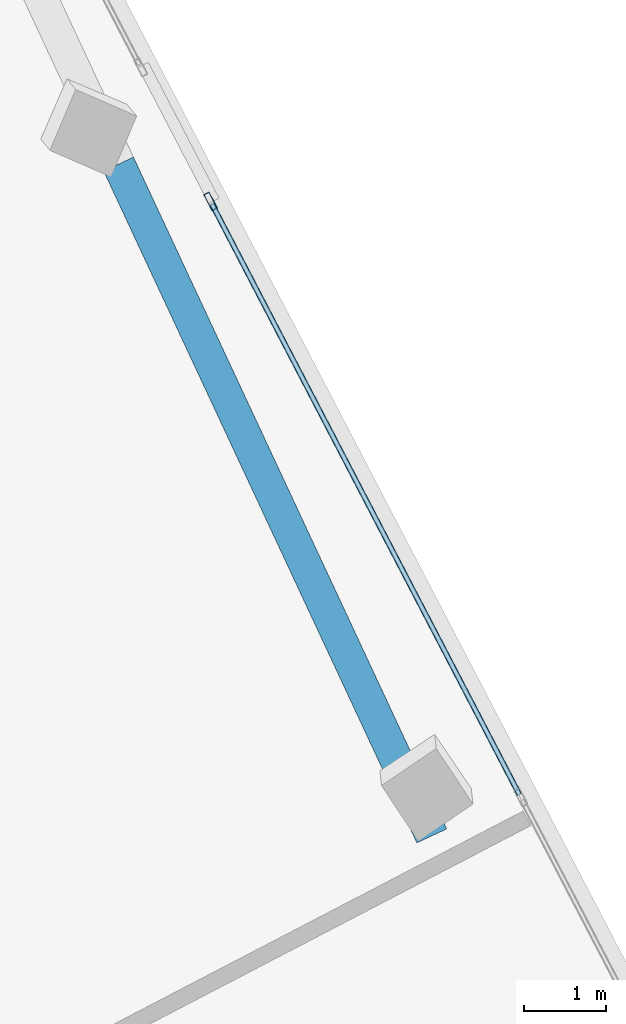
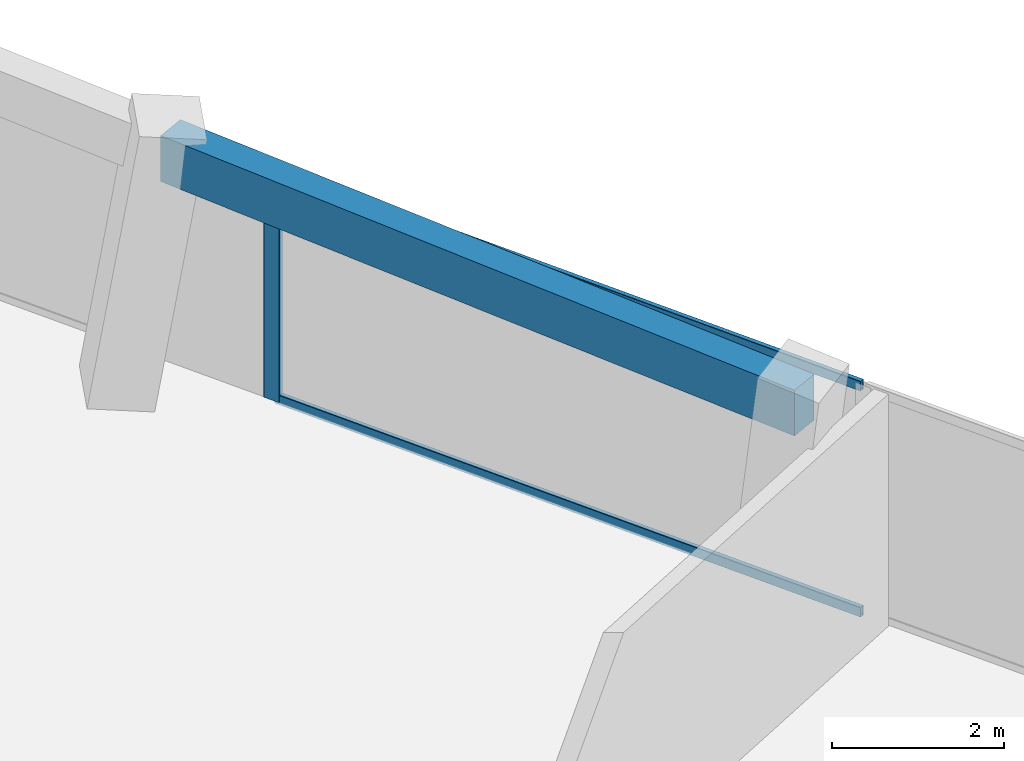
# One storey, part 7 of 16: 3 members, 1 beam, 1 element without a shape of its own.
"""IFC4 building model written with IfcOpenShell, lengths in metres."""

import ifcopenshell
import ifcopenshell.guid

model = None  # the IFC model being written
_history = None  # IfcOwnerHistory: only IFC2X3 demands one
_inside = {}  # id of a spatial element -> (the spatial element, [elements in it])
_under = {}  # id of a project, library or spatial element -> (it, [spatial elements below it])
_declared = {}  # id of a project -> (the project, [libraries it declares])
_typed = {}  # id of a type object -> (the type object, [elements of that type])
_made_of = {}  # id of a material, layer set ... -> (it, [elements and type objects made of it])


def new_model(schema):
    """Start an empty IFC model of exactly this schema.

    Asked for "IFC4X3", IfcOpenShell would pick the latest addendum, in which some entities
    have other attributes; the version numbers below select the first issue.
    IFC2X3 requires an IfcOwnerHistory on every rooted entity: one is made here for all.
    """
    global model, _history
    if schema == "IFC4X3":
        model = ifcopenshell.file(schema_version=(4, 3, 0, 0))
    else:
        model = ifcopenshell.file(schema=schema)
    _inside.clear()
    _under.clear()
    _declared.clear()
    _typed.clear()
    _made_of.clear()
    _history = None
    if model.schema == "IFC2X3":
        org = make("IfcOrganization", Name="unknown")
        user = make(
            "IfcPersonAndOrganization",
            ThePerson=make("IfcPerson", FamilyName="unknown"),
            TheOrganization=org,
        )
        app = make(
            "IfcApplication",
            ApplicationDeveloper=org,
            Version="unknown",
            ApplicationFullName="unknown",
            ApplicationIdentifier="unknown",
        )
        _history = make(
            "IfcOwnerHistory",
            OwningUser=user,
            OwningApplication=app,
            ChangeAction="ADDED",
            CreationDate=0,
        )
    return model


def make(cls, **values):
    """One entity of the class cls with the attributes given. An attribute that is None is left unset."""
    return model.create_entity(
        cls, **{name: value for name, value in values.items() if value is not None}
    )


def rooted(cls, **values):
    """An entity with a GlobalId (a new one), such as an element, a storey or a relation."""
    return make(cls, GlobalId=ifcopenshell.guid.new(), OwnerHistory=_history, **values)


def si_unit(unit_type, name, prefix=None):
    """IfcSIUnit, for example si_unit("LENGTHUNIT", "METRE", prefix="MILLI")."""
    return make("IfcSIUnit", UnitType=unit_type, Prefix=prefix, Name=name)


def assignment(units):
    """IfcUnitAssignment: the units of a project."""
    return None if units is None else make("IfcUnitAssignment", Units=units)


def point(xyz):
    """IfcCartesianPoint."""
    return None if xyz is None else make("IfcCartesianPoint", Coordinates=xyz)


def direction(xyz):
    """IfcDirection."""
    return None if xyz is None else make("IfcDirection", DirectionRatios=xyz)


def frame(location, z_axis=None, x_axis=None):
    """IfcAxis2Placement3D, a coordinate frame: its origin and axes. An axis left out is left unset."""
    return make(
        "IfcAxis2Placement3D",
        Location=point(location),
        Axis=direction(z_axis),
        RefDirection=direction(x_axis),
    )


def frame_2d(location, x_axis=None):
    """IfcAxis2Placement2D, a coordinate frame in the plane: its origin and x axis."""
    return make(
        "IfcAxis2Placement2D", Location=point(location), RefDirection=direction(x_axis)
    )


def origin():
    """The frame at (0, 0, 0) with its axes left unset."""
    return frame((0.0, 0.0, 0.0))


def origin_2d():
    """The frame at (0, 0) in the plane with its x axis left unset."""
    return frame_2d((0.0, 0.0))


def place(relative_to, where):
    """IfcLocalPlacement: puts the frame where relative to a parent placement (None: the world)."""
    return make(
        "IfcLocalPlacement", PlacementRelTo=relative_to, RelativePlacement=where
    )


def context(
    kind, dimensions, precision=None, world=None, true_north=None, identifier=None
):
    """IfcGeometricRepresentationContext, for example the 3D "Model" context."""
    return make(
        "IfcGeometricRepresentationContext",
        ContextIdentifier=identifier,
        ContextType=kind,
        CoordinateSpaceDimension=dimensions,
        Precision=precision,
        WorldCoordinateSystem=world,
        TrueNorth=true_north,
    )


def subcontext(parent, identifier, kind, view, scale=None):
    """IfcGeometricRepresentationSubContext, for example "Body" below "Model"."""
    return make(
        "IfcGeometricRepresentationSubContext",
        ContextIdentifier=identifier,
        ContextType=kind,
        ParentContext=parent,
        TargetScale=scale,
        TargetView=view,
    )


def project(units=None, contexts=None):
    """IfcProject with its units and contexts."""
    return rooted(
        "IfcProject",
        Name="project",
        RepresentationContexts=contexts,
        UnitsInContext=assignment(units),
    )


def spatial(cls, under=None, at=None, **own):
    """A site, building, storey or space (cls), placed at a placement, below another one or the project."""
    s = rooted(cls, ObjectPlacement=at, **own)
    if under is not None:
        _under.setdefault(under.id(), (under, []))[1].append(s)
    return s


def profile(cls, at=None, kind="AREA", **sizes):
    """A parametric profile (cls). Its sizes go by their IFC names, for example OverallWidth=200.0."""
    return make(cls, ProfileType=kind, Position=at, **sizes)


def rectangle(**sizes):
    """IfcRectangleProfileDef."""
    return profile("IfcRectangleProfileDef", **sizes)


def hollow_rectangle(**sizes):
    """IfcRectangleHollowProfileDef."""
    return profile("IfcRectangleHollowProfileDef", **sizes)


def extrude(swept, where, along, depth):
    """IfcExtrudedAreaSolid: the profile swept, set in the frame where, extruded along a direction by depth."""
    return make(
        "IfcExtrudedAreaSolid",
        SweptArea=swept,
        Position=where,
        ExtrudedDirection=direction(along),
        Depth=depth,
    )


def shape(context_of_items, identifier, shape_type, items):
    """IfcShapeRepresentation: the items that make up one representation, for example the "Body"."""
    return make(
        "IfcShapeRepresentation",
        ContextOfItems=context_of_items,
        RepresentationIdentifier=identifier,
        RepresentationType=shape_type,
        Items=items,
    )


def source(mapping_origin, context_of_items, identifier, shape_type, items):
    """IfcRepresentationMap: a shape defined once, which mapped items show again and again."""
    return make(
        "IfcRepresentationMap",
        MappingOrigin=mapping_origin,
        MappedRepresentation=shape(context_of_items, identifier, shape_type, items),
    )


def transform(
    local_origin,
    x_axis=None,
    y_axis=None,
    z_axis=None,
    scale=None,
    scale2=None,
    scale3=None,
    uniform=True,
):
    """IfcCartesianTransformationOperator3D, or its non-uniform kind. x_axis, y_axis, z_axis: its Axis1, 2, 3."""
    if uniform:
        return make(
            "IfcCartesianTransformationOperator3D",
            Axis1=direction(x_axis),
            Axis2=direction(y_axis),
            LocalOrigin=point(local_origin),
            Scale=scale,
            Axis3=direction(z_axis),
        )
    return make(
        "IfcCartesianTransformationOperator3DnonUniform",
        Axis1=direction(x_axis),
        Axis2=direction(y_axis),
        LocalOrigin=point(local_origin),
        Scale=scale,
        Axis3=direction(z_axis),
        Scale2=scale2,
        Scale3=scale3,
    )


def mapped(mapping_source, mapping_target):
    """IfcMappedItem: shows the shape of a source again, moved by a transform."""
    return make(
        "IfcMappedItem", MappingSource=mapping_source, MappingTarget=mapping_target
    )


def material(Name=None, Category=None):
    """IfcMaterial."""
    return make("IfcMaterial", Name=Name, Category=Category)


def material_profile(
    of_material, cross_section, Name=None, Category=None, Priority=None
):
    """IfcMaterialProfile: a cross section and its material."""
    return make(
        "IfcMaterialProfile",
        Name=Name,
        Material=of_material,
        Profile=cross_section,
        Priority=Priority,
        Category=Category,
    )


def profile_set(profiles, Name=None, composite=None):
    """IfcMaterialProfileSet."""
    return make(
        "IfcMaterialProfileSet",
        Name=Name,
        MaterialProfiles=profiles,
        CompositeProfile=composite,
    )


def made_of(thing, what):
    """Note that an element or type object is made of a material, layer set ...; save() writes the relation."""
    if what is not None:
        _made_of.setdefault(what.id(), (what, []))[1].append(thing)
    return thing


def type_object(cls, material=None, **own):
    """A type object (cls), such as IfcWallType, which elements share."""
    return made_of(rooted(cls, **own), material)


def element(
    cls,
    number,
    at=None,
    inside=None,
    cuts=None,
    type_object=None,
    material=None,
    context=None,
    identifier="Body",
    shape_type=None,
    held_by="IfcProductDefinitionShape",
    body=None,
    shapes=None,
    **own,
):
    """One element of the class cls, such as IfcWall. Its Tag is "e" and its number.

    at: its placement. inside: the storey or other place that contains it. cuts: it is an
    opening in that element (IfcRelVoidsElement). A single representation is given by context,
    identifier, shape_type and body (its items); several are given by shapes. held_by: the class
    of the entity that holds the representations. save() writes the other relations.
    """
    e = rooted(cls, Tag="e%d" % number, ObjectPlacement=at, **own)
    if body is not None:
        shapes = [shape(context, identifier, shape_type, body)]
    if shapes is not None:
        e.Representation = make(held_by, Representations=shapes)
    if inside is not None:
        _inside.setdefault(inside.id(), (inside, []))[1].append(e)
    if cuts is not None:
        rooted(
            "IfcRelVoidsElement", RelatingBuildingElement=cuts, RelatedOpeningElement=e
        )
    if type_object is not None:
        _typed.setdefault(type_object.id(), (type_object, []))[1].append(e)
    return made_of(e, material)


def aggregate(whole, parts):
    """IfcRelAggregates: a whole, such as a stair, and the parts it consists of."""
    return rooted("IfcRelAggregates", RelatingObject=whole, RelatedObjects=parts)


def save(model, path):
    """Write the relations noted so far, then the file.

    IfcRelAggregates (storeys below a building ...), IfcRelContainedInSpatialStructure (elements
    in a storey), IfcRelDefinesByType, IfcRelAssociatesMaterial and IfcRelDeclares: one each for
    every whole, place, type object, material and project.
    """
    for whole, parts in _under.values():
        aggregate(whole, parts)
    for where, things in _inside.values():
        rooted(
            "IfcRelContainedInSpatialStructure",
            RelatedElements=things,
            RelatingStructure=where,
        )
    for kind, things in _typed.values():
        rooted("IfcRelDefinesByType", RelatedObjects=things, RelatingType=kind)
    for what, things in _made_of.values():
        rooted("IfcRelAssociatesMaterial", RelatedObjects=things, RelatingMaterial=what)
    for by, libraries in _declared.values():
        rooted("IfcRelDeclares", RelatingContext=by, RelatedDefinitions=libraries)
    model.write(path)


model = new_model("IFC4")

# Units and contexts
model_context = context("Model", 3, precision=1e-05, world=origin(), true_north=direction((0.0, 1.0)))
body_context = subcontext(model_context, "Body", "Model", "MODEL_VIEW")
ifc_project = project(units=[si_unit("LENGTHUNIT", "METRE"), si_unit("AREAUNIT", "SQUARE_METRE"), si_unit("VOLUMEUNIT", "CUBIC_METRE"), si_unit("PLANEANGLEUNIT", "RADIAN"), si_unit("MASSUNIT", "GRAM", prefix="KILO")], contexts=[model_context])

# Site, building, storey
site_placement = place(None, origin())
site = spatial("IfcSite", under=ifc_project, at=site_placement, CompositionType="ELEMENT")
building_placement = place(site_placement, origin())
building = spatial("IfcBuilding", under=site, at=building_placement, Name="Torre Montelarca", CompositionType="ELEMENT")
storey_placement = place(building_placement, frame((0.0, 0.0, 336.60009765625)))
storey = spatial("IfcBuildingStorey", under=building, at=storey_placement, Name="L76", CompositionType="ELEMENT", Elevation=336.60009765625)

# Beam
ifc_material_1 = material(Name="Concrete C40/50", Category="concrete")
ifc_material_profile_1 = material_profile(ifc_material_1, rectangle(XDim=0.39990234375, YDim=0.64990234375, at=origin_2d()), Name="RCB400X650", Category="concrete")
ifc_profile_set_1 = profile_set([ifc_material_profile_1], Name="Concrete C40/50")
beam_type = type_object("IfcBeamType", Name="BM-SP-RC650-EXT", PredefinedType="SPANDREL", material=ifc_profile_set_1)
shared_shape_1 = source(origin(), body_context, "Body", "SweptSolid", [
    extrude(rectangle(XDim=0.39990234375, YDim=0.64990234375, at=origin_2d()), origin(), (0.0, 0.0, 1.0), 9.0),
])
beam_placement = place(storey_placement, frame((33.75146484375, 41.57470703125, 3.635009765625), z_axis=(0.422610711302, -0.906311307826, 0.0), x_axis=(0.906311307826, 0.422610711302, 0.0)))
element("IfcBeam", 1, at=beam_placement, inside=storey, type_object=beam_type, Name="L76 Grid Girder X 18.0-27.0 at Y=47.1", PredefinedType="SPANDREL", context=body_context, shape_type="MappedRepresentation", body=[
    mapped(shared_shape_1, transform((0.0, 0.0, 0.0), scale=1.0)),
])

# Curtain wall, members
ifc_material_2 = material(Name="Insulated low-E laminated glass", Category="glass")
curtain_wall_type = type_object("IfcCurtainWallType", Name="CW-SYS-Z4", PredefinedType="USERDEFINED", material=ifc_material_2)
curtain_wall_placement = place(storey_placement, origin())
curtain_wall = element("IfcCurtainWall", 2, at=curtain_wall_placement, inside=storey, type_object=curtain_wall_type, Name="L76 Curtain Wall Run CW-T3-L76-E08-B1", ObjectType="UNITISED GLAZING", PredefinedType="USERDEFINED")
ifc_material_3 = material(Name="Anodised aluminium AA 6063-T6", Category="aluminium")
ifc_material_profile_2 = material_profile(ifc_material_3, hollow_rectangle(XDim=0.074951171875, YDim=0.219970703125, WallThickness=0.0048828125, InnerFilletRadius=0.0048828125, OuterFilletRadius=0.010009765625, at=origin_2d()), Name="ALU75X220X5", Category="aluminium")
ifc_profile_set_2 = profile_set([ifc_material_profile_2], Name="Anodised aluminium AA 6063-T6")
member_type_1 = type_object("IfcMemberType", Name="CWM-ALU220", PredefinedType="MULLION", material=ifc_profile_set_2)
shared_shape_2 = source(origin(), body_context, "Body", "SweptSolid", [
    extrude(hollow_rectangle(XDim=0.074951171875, YDim=0.219970703125, WallThickness=0.0048828125, InnerFilletRadius=0.0048828125, OuterFilletRadius=0.010009765625, at=origin_2d()), origin(), (0.0, 0.0, 1.0), 3.27490234375),
])
member_1_placement = place(storey_placement, frame((34.868408203125, 41.121826171875, 0.0), z_axis=(0.0, 0.0, 1.0), x_axis=(-0.887012228523, -0.461745932792, 0.0)))
member_1 = element("IfcMember", 3, at=member_1_placement, type_object=member_type_1, Name="CW mullion 3", PredefinedType="MULLION", context=body_context, shape_type="MappedRepresentation", body=[
    mapped(shared_shape_2, transform((0.0, 0.0, 0.0), scale=1.0)),
])
ifc_material_profile_3 = material_profile(ifc_material_3, hollow_rectangle(XDim=0.06494140625, YDim=0.139892578125, WallThickness=0.00390625, InnerFilletRadius=0.00390625, OuterFilletRadius=0.008056640625, at=origin_2d()), Name="ALU65X140X4", Category="aluminium")
ifc_profile_set_3 = profile_set([ifc_material_profile_3], Name="Anodised aluminium AA 6063-T6")
member_type_2 = type_object("IfcMemberType", Name="CWT-ALU140", PredefinedType="USERDEFINED", material=ifc_profile_set_3)
shared_shape_3 = source(origin(), body_context, "Body", "SweptSolid", [
    extrude(hollow_rectangle(XDim=0.06494140625, YDim=0.139892578125, WallThickness=0.00390625, InnerFilletRadius=0.00390625, OuterFilletRadius=0.008056640625, at=origin_2d()), origin(), (0.0, 0.0, 1.0), 8.08251953125),
])
member_2_placement = place(storey_placement, frame((38.617919921875, 33.91943359375, 0.032470703125), z_axis=(-0.461761650196, 0.887004046444, 0.0), x_axis=(-0.887004046444, -0.461761650196, 0.0)))
member_2 = element("IfcMember", 4, at=member_2_placement, type_object=member_type_2, Name="CW transom 2.1", ObjectType="TRANSOM", PredefinedType="USERDEFINED", context=body_context, shape_type="MappedRepresentation", body=[
    mapped(shared_shape_3, transform((0.0, 0.0, 0.0), scale=1.0)),
])
member_3_placement = place(storey_placement, frame((38.617919921875, 33.91943359375, 3.242431640625), z_axis=(-0.461761650196, 0.887004046444, 0.0), x_axis=(-0.887004046444, -0.461761650196, 0.0)))
member_3 = element("IfcMember", 5, at=member_3_placement, type_object=member_type_2, Name="CW transom 2.2", ObjectType="TRANSOM", PredefinedType="USERDEFINED", context=body_context, shape_type="MappedRepresentation", body=[
    mapped(shared_shape_3, transform((0.0, 0.0, 0.0), scale=1.0)),
])
aggregate(curtain_wall, [member_1, member_2, member_3])

save(model, "model.ifc")
